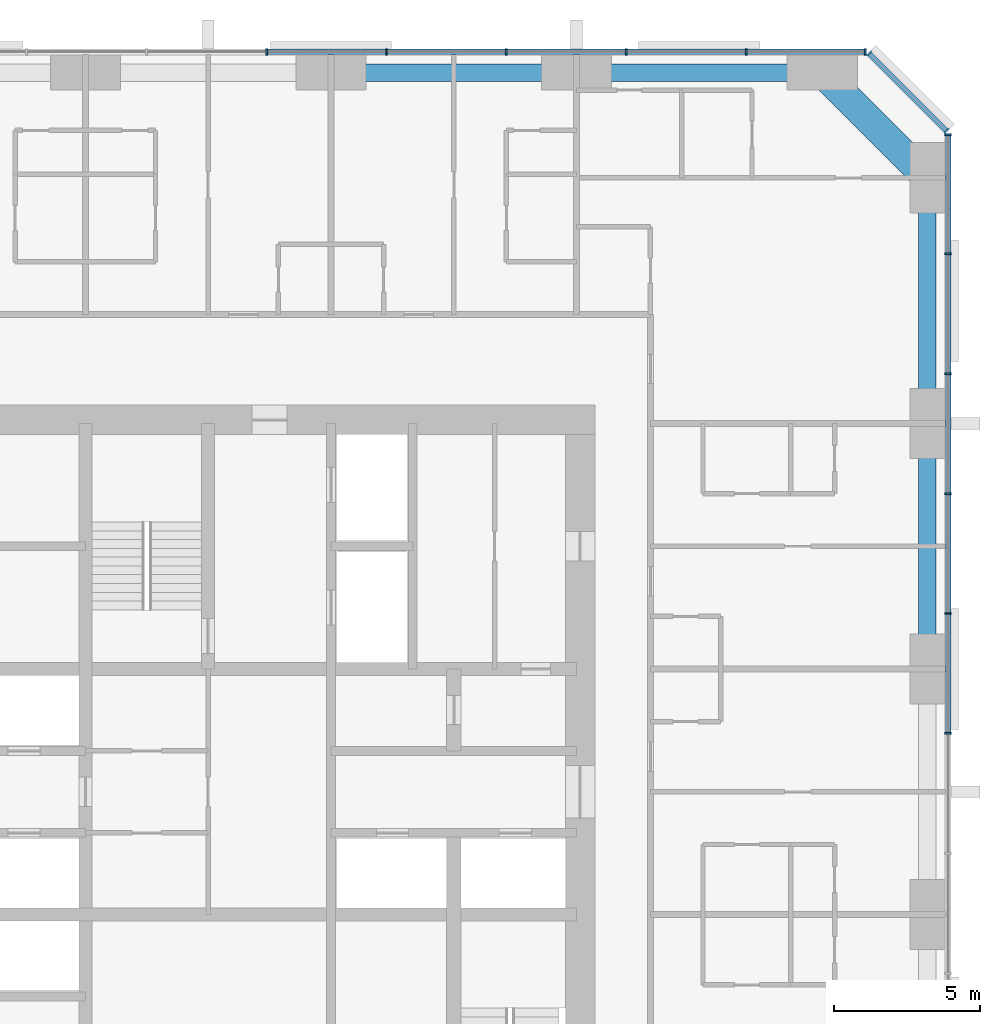
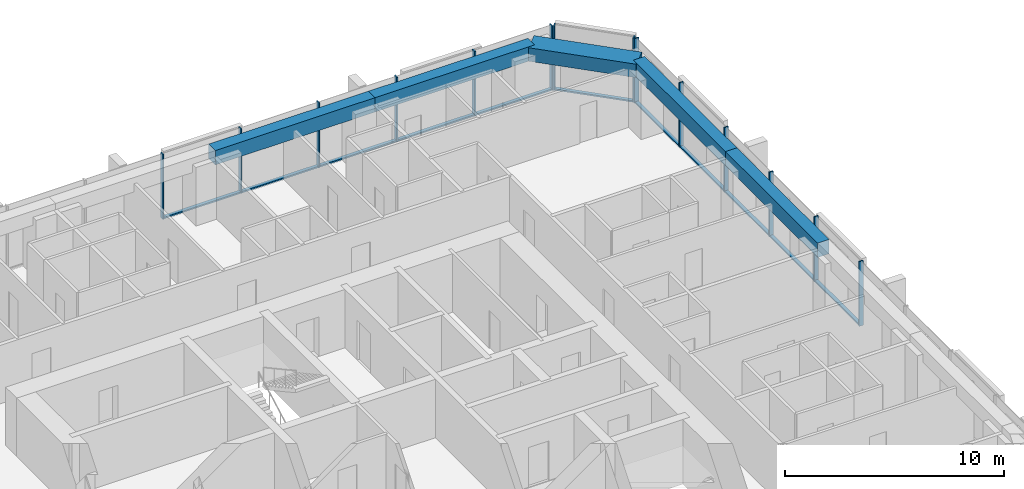
# One storey, part 6 of 14: 25 members, 5 beams, 3 elements without a shape of their own.
"""IFC4 building model written with IfcOpenShell, lengths in metres."""

from ifc_helpers import new_model, si_unit, direction, frame, origin, origin_2d, place, context, subcontext, project, spatial, rectangle, extrude, material, material_profile, profile_set, type_object, element, aggregate, save


model = new_model("IFC4")

# Units and contexts
model_context = context("Model", 3, precision=1e-05, world=origin(), true_north=direction((0.0, 1.0)))
body_context = subcontext(model_context, "Body", "Model", "MODEL_VIEW")
ifc_project = project(units=[si_unit("LENGTHUNIT", "METRE"), si_unit("AREAUNIT", "SQUARE_METRE"), si_unit("VOLUMEUNIT", "CUBIC_METRE"), si_unit("PLANEANGLEUNIT", "RADIAN"), si_unit("MASSUNIT", "GRAM", prefix="KILO")], contexts=[model_context])

# Site, building, storey
site_placement = place(None, origin())
site = spatial("IfcSite", under=ifc_project, at=site_placement, CompositionType="ELEMENT")
building_placement = place(site_placement, origin())
building = spatial("IfcBuilding", under=site, at=building_placement, Name="Dunama Terrace Hotel", CompositionType="ELEMENT")
storey_placement = place(building_placement, frame((0.0, 0.0, 129.60009765625)))
storey = spatial("IfcBuildingStorey", under=building, at=storey_placement, Name="L33", CompositionType="ELEMENT", Elevation=129.60009765625)

# Curtain wall, members
ifc_material_1 = material(Name="Aluminium curtain wall system", Category="aluminium")
curtain_wall_type = type_object("IfcCurtainWallType", Name="Unitised fritted glass wall CW-B", PredefinedType="NOTDEFINED", material=ifc_material_1)
curtain_wall_1_placement = place(storey_placement, origin())
curtain_wall_1 = element("IfcCurtainWall", 1, at=curtain_wall_1_placement, inside=storey, type_object=curtain_wall_type, Name="Unitised fritted glass wall CW-B L33", PredefinedType="NOTDEFINED")
ifc_material_2 = material(Name="Aluminium mullion", Category="aluminium")
ifc_material_profile_1 = material_profile(ifc_material_2, rectangle(XDim=0.06494140625, YDim=0.219970703125, at=origin_2d()), Name="CWB MULLION 65X220")
ifc_profile_set_1 = profile_set([ifc_material_profile_1], Name="Aluminium mullion")
member_type_1 = type_object("IfcMemberType", Name="CWB mullion 65x220", PredefinedType="MULLION", material=ifc_profile_set_1)
member_1_placement = place(storey_placement, frame((54.7099609375, 31.39990234375, 0.0), z_axis=(0.0, 0.0, 1.0), x_axis=(0.0, 1.0, 0.0)))
member_1 = element("IfcMember", 2, at=member_1_placement, type_object=member_type_1, Name="CWB mullion", PredefinedType="MULLION", context=body_context, shape_type="SweptSolid", body=[
    extrude(rectangle(XDim=0.06494140625, YDim=0.219970703125, at=origin_2d()), origin(), (0.0, 0.0, 1.0), 3.599853515625),
])
member_2_placement = place(storey_placement, frame((54.7099609375, 35.5, 0.0), z_axis=(0.0, 0.0, 1.0), x_axis=(0.0, 1.0, 0.0)))
member_2 = element("IfcMember", 3, at=member_2_placement, type_object=member_type_1, Name="CWB mullion", PredefinedType="MULLION", context=body_context, shape_type="SweptSolid", body=[
    extrude(rectangle(XDim=0.06494140625, YDim=0.219970703125, at=origin_2d()), origin(), (0.0, 0.0, 1.0), 3.599853515625),
])
member_3_placement = place(storey_placement, frame((54.7099609375, 39.60009765625, 0.0), z_axis=(0.0, 0.0, 1.0), x_axis=(0.0, 1.0, 0.0)))
member_3 = element("IfcMember", 4, at=member_3_placement, type_object=member_type_1, Name="CWB mullion", PredefinedType="MULLION", context=body_context, shape_type="SweptSolid", body=[
    extrude(rectangle(XDim=0.06494140625, YDim=0.219970703125, at=origin_2d()), origin(), (0.0, 0.0, 1.0), 3.599853515625),
])
member_4_placement = place(storey_placement, frame((54.7099609375, 43.699951171875, 0.0), z_axis=(0.0, 0.0, 1.0), x_axis=(0.0, 1.0, 0.0)))
member_4 = element("IfcMember", 5, at=member_4_placement, type_object=member_type_1, Name="CWB mullion", PredefinedType="MULLION", context=body_context, shape_type="SweptSolid", body=[
    extrude(rectangle(XDim=0.06494140625, YDim=0.219970703125, at=origin_2d()), origin(), (0.0, 0.0, 1.0), 3.599853515625),
])
member_5_placement = place(storey_placement, frame((54.7099609375, 47.800048828125, 0.0), z_axis=(0.0, 0.0, 1.0), x_axis=(0.0, 1.0, 0.0)))
member_5 = element("IfcMember", 6, at=member_5_placement, type_object=member_type_1, Name="CWB mullion", PredefinedType="MULLION", context=body_context, shape_type="SweptSolid", body=[
    extrude(rectangle(XDim=0.06494140625, YDim=0.219970703125, at=origin_2d()), origin(), (0.0, 0.0, 1.0), 3.599853515625),
])
member_6_placement = place(storey_placement, frame((54.7099609375, 51.866943359375, 0.0), z_axis=(0.0, 0.0, 1.0), x_axis=(0.0, 1.0, 0.0)))
member_6 = element("IfcMember", 7, at=member_6_placement, type_object=member_type_1, Name="CWB mullion", PredefinedType="MULLION", context=body_context, shape_type="SweptSolid", body=[
    extrude(rectangle(XDim=0.06494140625, YDim=0.219970703125, at=origin_2d()), origin(), (0.0, 0.0, 1.0), 3.599853515625),
])

curtain_wall_2_placement = place(storey_placement, origin())
curtain_wall_2 = element("IfcCurtainWall", 8, at=curtain_wall_2_placement, inside=storey, type_object=curtain_wall_type, Name="Unitised fritted glass wall CW-B L33", PredefinedType="NOTDEFINED")
member_7_placement = place(storey_placement, frame((54.655029296875, 52.0009765625, 0.0), z_axis=(0.0, 0.0, 1.0), x_axis=(-0.707106781187, 0.707106781187, 0.0)))
member_7 = element("IfcMember", 9, at=member_7_placement, type_object=member_type_1, Name="CWB mullion", PredefinedType="MULLION", context=body_context, shape_type="SweptSolid", body=[
    extrude(rectangle(XDim=0.06494140625, YDim=0.219970703125, at=origin_2d()), origin(), (0.0, 0.0, 1.0), 3.599853515625),
])
member_8_placement = place(storey_placement, frame((52.0009765625, 54.655029296875, 0.0), z_axis=(0.0, 0.0, 1.0), x_axis=(-0.707106781187, 0.707106781187, 0.0)))
member_8 = element("IfcMember", 10, at=member_8_placement, type_object=member_type_1, Name="CWB mullion", PredefinedType="MULLION", context=body_context, shape_type="SweptSolid", body=[
    extrude(rectangle(XDim=0.06494140625, YDim=0.219970703125, at=origin_2d()), origin(), (0.0, 0.0, 1.0), 3.599853515625),
])

curtain_wall_3_placement = place(storey_placement, origin())
curtain_wall_3 = element("IfcCurtainWall", 11, at=curtain_wall_3_placement, inside=storey, type_object=curtain_wall_type, Name="Unitised fritted glass wall CW-B L33", PredefinedType="NOTDEFINED")
member_9_placement = place(storey_placement, frame((51.866943359375, 54.7099609375, 0.0), z_axis=(0.0, 0.0, 1.0), x_axis=(-1.0, 0.0, 0.0)))
member_9 = element("IfcMember", 12, at=member_9_placement, type_object=member_type_1, Name="CWB mullion", PredefinedType="MULLION", context=body_context, shape_type="SweptSolid", body=[
    extrude(rectangle(XDim=0.06494140625, YDim=0.219970703125, at=origin_2d()), origin(), (0.0, 0.0, 1.0), 3.599853515625),
])
member_10_placement = place(storey_placement, frame((47.800048828125, 54.7099609375, 0.0), z_axis=(0.0, 0.0, 1.0), x_axis=(-1.0, 0.0, 0.0)))
member_10 = element("IfcMember", 13, at=member_10_placement, type_object=member_type_1, Name="CWB mullion", PredefinedType="MULLION", context=body_context, shape_type="SweptSolid", body=[
    extrude(rectangle(XDim=0.06494140625, YDim=0.219970703125, at=origin_2d()), origin(), (0.0, 0.0, 1.0), 3.599853515625),
])
member_11_placement = place(storey_placement, frame((43.699951171875, 54.7099609375, 0.0), z_axis=(0.0, 0.0, 1.0), x_axis=(-1.0, 0.0, 0.0)))
member_11 = element("IfcMember", 14, at=member_11_placement, type_object=member_type_1, Name="CWB mullion", PredefinedType="MULLION", context=body_context, shape_type="SweptSolid", body=[
    extrude(rectangle(XDim=0.06494140625, YDim=0.219970703125, at=origin_2d()), origin(), (0.0, 0.0, 1.0), 3.599853515625),
])
member_12_placement = place(storey_placement, frame((39.60009765625, 54.7099609375, 0.0), z_axis=(0.0, 0.0, 1.0), x_axis=(-1.0, 0.0, 0.0)))
member_12 = element("IfcMember", 15, at=member_12_placement, type_object=member_type_1, Name="CWB mullion", PredefinedType="MULLION", context=body_context, shape_type="SweptSolid", body=[
    extrude(rectangle(XDim=0.06494140625, YDim=0.219970703125, at=origin_2d()), origin(), (0.0, 0.0, 1.0), 3.599853515625),
])
member_13_placement = place(storey_placement, frame((35.5, 54.7099609375, 0.0), z_axis=(0.0, 0.0, 1.0), x_axis=(-1.0, 0.0, 0.0)))
member_13 = element("IfcMember", 16, at=member_13_placement, type_object=member_type_1, Name="CWB mullion", PredefinedType="MULLION", context=body_context, shape_type="SweptSolid", body=[
    extrude(rectangle(XDim=0.06494140625, YDim=0.219970703125, at=origin_2d()), origin(), (0.0, 0.0, 1.0), 3.599853515625),
])
member_14_placement = place(storey_placement, frame((31.39990234375, 54.7099609375, 0.0), z_axis=(0.0, 0.0, 1.0), x_axis=(-1.0, 0.0, 0.0)))
member_14 = element("IfcMember", 17, at=member_14_placement, type_object=member_type_1, Name="CWB mullion", PredefinedType="MULLION", context=body_context, shape_type="SweptSolid", body=[
    extrude(rectangle(XDim=0.06494140625, YDim=0.219970703125, at=origin_2d()), origin(), (0.0, 0.0, 1.0), 3.599853515625),
])

# Member
ifc_material_3 = material(Name="Aluminium transom", Category="aluminium")
ifc_material_profile_2 = material_profile(ifc_material_3, rectangle(XDim=0.179931640625, YDim=0.080078125, at=origin_2d()), Name="CWB TRANSOM 180X80")
ifc_profile_set_2 = profile_set([ifc_material_profile_2], Name="Aluminium transom")
member_type_2 = type_object("IfcMemberType", Name="CWB transom 180x80", PredefinedType="USERDEFINED", material=ifc_profile_set_2)
member_15_placement = place(storey_placement, frame((54.7099609375, 31.431884765625, 0.039794921875), z_axis=(0.0, 1.0, 0.0), x_axis=(-1.0, 0.0, 0.0)))
member_15 = element("IfcMember", 18, at=member_15_placement, type_object=member_type_2, Name="CWB transom", ObjectType="TRANSOM", PredefinedType="USERDEFINED", context=body_context, shape_type="SweptSolid", body=[
    extrude(rectangle(XDim=0.179931640625, YDim=0.080078125, at=origin_2d()), origin(), (0.0, 0.0, 1.0), 4.0361328125),
])

member_16_placement = place(storey_placement, frame((54.7099609375, 35.531982421875, 0.039794921875), z_axis=(0.0, 1.0, 0.0), x_axis=(-1.0, 0.0, 0.0)))
member_16 = element("IfcMember", 19, at=member_16_placement, type_object=member_type_2, Name="CWB transom", ObjectType="TRANSOM", PredefinedType="USERDEFINED", context=body_context, shape_type="SweptSolid", body=[
    extrude(rectangle(XDim=0.179931640625, YDim=0.080078125, at=origin_2d()), origin(), (0.0, 0.0, 1.0), 4.0361328125),
])

member_17_placement = place(storey_placement, frame((54.7099609375, 39.633056640625, 0.039794921875), z_axis=(0.0, 1.0, 0.0), x_axis=(-1.0, 0.0, 0.0)))
member_17 = element("IfcMember", 20, at=member_17_placement, type_object=member_type_2, Name="CWB transom", ObjectType="TRANSOM", PredefinedType="USERDEFINED", context=body_context, shape_type="SweptSolid", body=[
    extrude(rectangle(XDim=0.179931640625, YDim=0.080078125, at=origin_2d()), origin(), (0.0, 0.0, 1.0), 4.034912109375),
])

member_18_placement = place(storey_placement, frame((54.7099609375, 43.73291015625, 0.039794921875), z_axis=(0.0, 1.0, 0.0), x_axis=(-1.0, 0.0, 0.0)))
member_18 = element("IfcMember", 21, at=member_18_placement, type_object=member_type_2, Name="CWB transom", ObjectType="TRANSOM", PredefinedType="USERDEFINED", context=body_context, shape_type="SweptSolid", body=[
    extrude(rectangle(XDim=0.179931640625, YDim=0.080078125, at=origin_2d()), origin(), (0.0, 0.0, 1.0), 4.0341796875),
])

member_19_placement = place(storey_placement, frame((54.7099609375, 47.83203125, 0.039794921875), z_axis=(0.0, 1.0, 0.0), x_axis=(-1.0, 0.0, 0.0)))
member_19 = element("IfcMember", 22, at=member_19_placement, type_object=member_type_2, Name="CWB transom", ObjectType="TRANSOM", PredefinedType="USERDEFINED", context=body_context, shape_type="SweptSolid", body=[
    extrude(rectangle(XDim=0.179931640625, YDim=0.080078125, at=origin_2d()), origin(), (0.0, 0.0, 1.0), 4.0029296875),
])

aggregate(curtain_wall_1, [member_1, member_2, member_3, member_4, member_5, member_6, member_15, member_16, member_17, member_18, member_19])

member_20_placement = place(storey_placement, frame((54.632080078125, 52.02392578125, 0.039794921875), z_axis=(-0.707106781187, 0.707106781187, 0.0), x_axis=(-0.707106781187, -0.707106781187, 0.0)))
member_20 = element("IfcMember", 23, at=member_20_placement, type_object=member_type_2, Name="CWB transom", ObjectType="TRANSOM", PredefinedType="USERDEFINED", context=body_context, shape_type="SweptSolid", body=[
    extrude(rectangle(XDim=0.179931640625, YDim=0.080078125, at=origin_2d()), origin(), (0.0, 0.0, 1.0), 3.6884765625),
])

aggregate(curtain_wall_2, [member_7, member_8, member_20])

member_21_placement = place(storey_placement, frame((51.8349609375, 54.7099609375, 0.039794921875), z_axis=(-1.0, 0.0, 0.0), x_axis=(0.0, -1.0, 0.0)))
member_21 = element("IfcMember", 24, at=member_21_placement, type_object=member_type_2, Name="CWB transom", ObjectType="TRANSOM", PredefinedType="USERDEFINED", context=body_context, shape_type="SweptSolid", body=[
    extrude(rectangle(XDim=0.179931640625, YDim=0.080078125, at=origin_2d()), origin(), (0.0, 0.0, 1.0), 4.0029296875),
])

member_22_placement = place(storey_placement, frame((47.76708984375, 54.7099609375, 0.039794921875), z_axis=(-1.0, 0.0, 0.0), x_axis=(0.0, -1.0, 0.0)))
member_22 = element("IfcMember", 25, at=member_22_placement, type_object=member_type_2, Name="CWB transom", ObjectType="TRANSOM", PredefinedType="USERDEFINED", context=body_context, shape_type="SweptSolid", body=[
    extrude(rectangle(XDim=0.179931640625, YDim=0.080078125, at=origin_2d()), origin(), (0.0, 0.0, 1.0), 4.0341796875),
])

member_23_placement = place(storey_placement, frame((43.6669921875, 54.7099609375, 0.039794921875), z_axis=(-1.0, 0.0, 0.0), x_axis=(0.0, -1.0, 0.0)))
member_23 = element("IfcMember", 26, at=member_23_placement, type_object=member_type_2, Name="CWB transom", ObjectType="TRANSOM", PredefinedType="USERDEFINED", context=body_context, shape_type="SweptSolid", body=[
    extrude(rectangle(XDim=0.179931640625, YDim=0.080078125, at=origin_2d()), origin(), (0.0, 0.0, 1.0), 4.033935546875),
])

member_24_placement = place(storey_placement, frame((39.56689453125, 54.7099609375, 0.039794921875), z_axis=(-1.0, 0.0, 0.0), x_axis=(0.0, -1.0, 0.0)))
member_24 = element("IfcMember", 27, at=member_24_placement, type_object=member_type_2, Name="CWB transom", ObjectType="TRANSOM", PredefinedType="USERDEFINED", context=body_context, shape_type="SweptSolid", body=[
    extrude(rectangle(XDim=0.179931640625, YDim=0.080078125, at=origin_2d()), origin(), (0.0, 0.0, 1.0), 4.034912109375),
])

member_25_placement = place(storey_placement, frame((35.468017578125, 54.7099609375, 0.039794921875), z_axis=(-1.0, 0.0, 0.0), x_axis=(0.0, -1.0, 0.0)))
member_25 = element("IfcMember", 28, at=member_25_placement, type_object=member_type_2, Name="CWB transom", ObjectType="TRANSOM", PredefinedType="USERDEFINED", context=body_context, shape_type="SweptSolid", body=[
    extrude(rectangle(XDim=0.179931640625, YDim=0.080078125, at=origin_2d()), origin(), (0.0, 0.0, 1.0), 4.0361328125),
])

aggregate(curtain_wall_3, [member_9, member_10, member_11, member_12, member_13, member_14, member_21, member_22, member_23, member_24, member_25])

# Beams
ifc_material_4 = material(Name="Concrete C50/60", Category="concrete")
ifc_material_profile_3 = material_profile(ifc_material_4, rectangle(XDim=1.0, YDim=0.75, at=origin_2d()), Name="RC 1000x750")
ifc_profile_set_3 = profile_set([ifc_material_profile_3], Name="Concrete C50/60")
beam_type_1 = type_object("IfcBeamType", Name="Edge beam RC 1000x750", PredefinedType="SPANDREL", material=ifc_profile_set_3)
beam_placement = place(storey_placement, frame((50.39990234375, 54.0, 3.224853515625), z_axis=(0.707106781187, -0.707106781187, 0.0), x_axis=(0.707106781187, 0.707106781187, 0.0)))
element("IfcBeam", 29, at=beam_placement, inside=storey, type_object=beam_type_1, Name="Corner edge beam under L34", PredefinedType="SPANDREL", context=body_context, shape_type="SweptSolid", body=[
    extrude(rectangle(XDim=1.0, YDim=0.75, at=origin_2d()), origin(), (0.0, 0.0, 1.0), 5.09130859375),
])
ifc_material_5 = material(Name="Concrete C40/50", Category="concrete")
ifc_material_profile_4 = material_profile(ifc_material_5, rectangle(XDim=0.60009765625, YDim=0.800048828125, at=origin_2d()), Name="RC 600x800")
ifc_profile_set_4 = profile_set([ifc_material_profile_4], Name="Concrete C40/50")
beam_type_2 = type_object("IfcBeamType", Name="Edge beam RC 600x800", PredefinedType="SPANDREL", material=ifc_profile_set_4)
for number, where, z_axis, x_axis, name in (
    (30, (54.0, 33.60009765625, 3.199951171875), (0.0, 1.0, 0.0), (-1.0, 0.0, 0.0), "Edge beam under L34"),
    (31, (54.0, 42.0, 3.199951171875), (0.0, 1.0, 0.0), (-1.0, 0.0, 0.0), "Edge beam under L34"),
    (32, (33.60009765625, 54.0, 3.199951171875), (1.0, 0.0, 0.0), (0.0, 1.0, 0.0), "Edge beam under L34"),
    (33, (42.0, 54.0, 3.199951171875), (1.0, 0.0, 0.0), (0.0, 1.0, 0.0), "Edge beam under L34"),
):
    element("IfcBeam", number, at=place(storey_placement, frame(where, z_axis=z_axis, x_axis=x_axis)), inside=storey, type_object=beam_type_2, Name=name, PredefinedType="SPANDREL", context=body_context, shape_type="SweptSolid", body=[
        extrude(rectangle(XDim=0.60009765625, YDim=0.800048828125, at=origin_2d()), origin(), (0.0, 0.0, 1.0), 8.39990234375),
    ])

save(model, "model.ifc")
